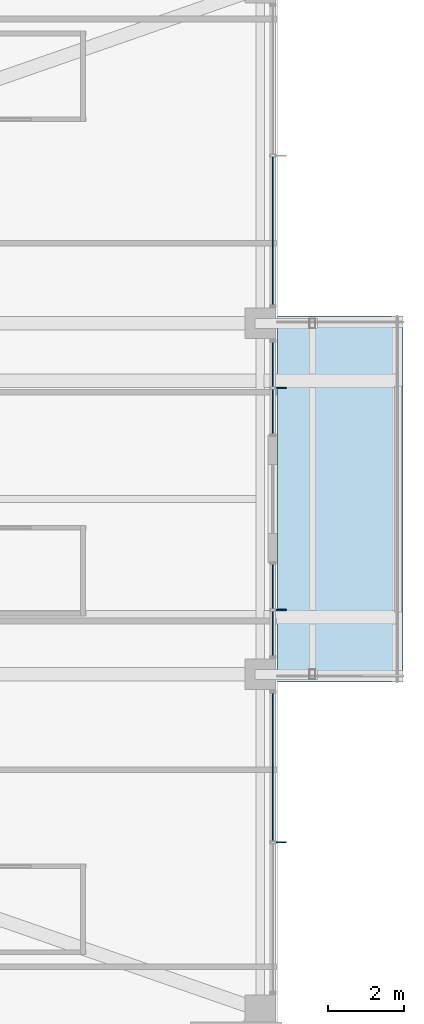
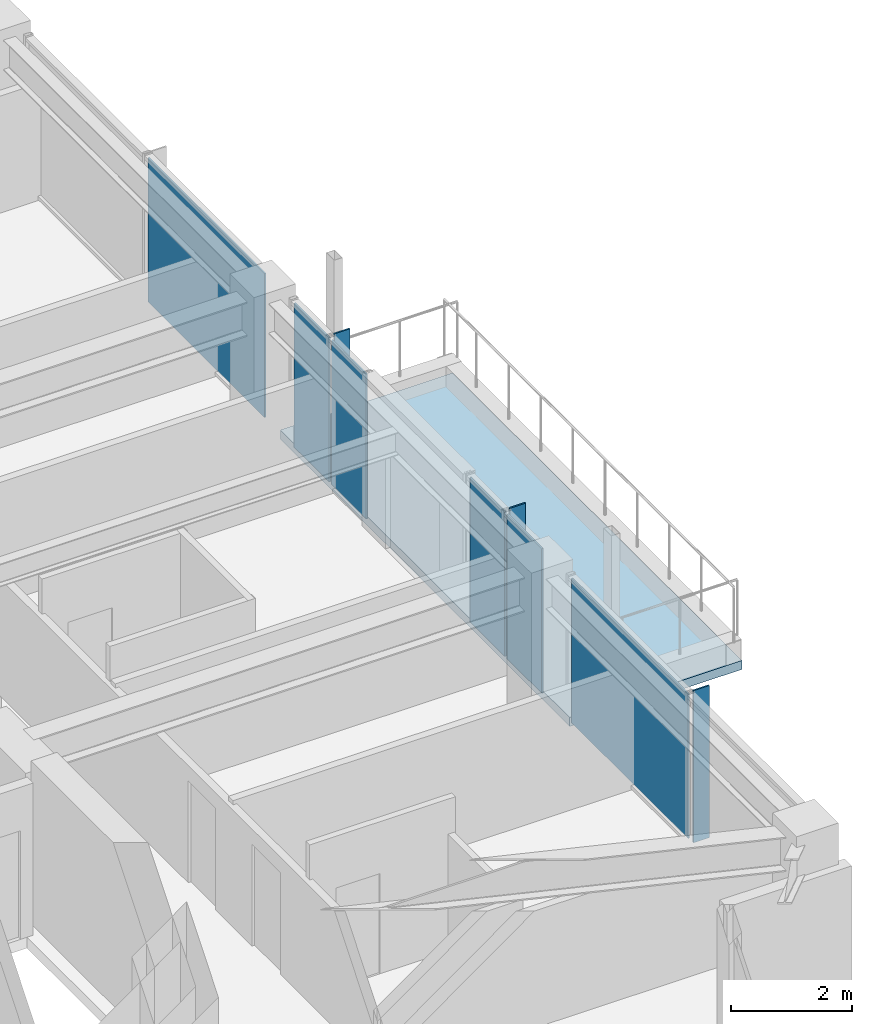
# One storey, part 29 of 38: 9 plates, 1 slab, 4 elements without a shape of their own.
"""IFC4 building model written with IfcOpenShell, lengths in metres."""

from ifc_helpers import new_model, si_unit, direction, frame, origin, origin_2d, place, context, subcontext, project, spatial, polyline, rectangle, outline, extrude, material, layer, layer_set, type_object, element, aggregate, save


model = new_model("IFC4")

# Units and contexts
model_context = context("Model", 3, precision=1e-05, world=origin(), true_north=direction((0.0, 1.0)))
body_context = subcontext(model_context, "Body", "Model", "MODEL_VIEW")
ifc_project = project(units=[si_unit("LENGTHUNIT", "METRE"), si_unit("AREAUNIT", "SQUARE_METRE"), si_unit("VOLUMEUNIT", "CUBIC_METRE"), si_unit("PLANEANGLEUNIT", "RADIAN"), si_unit("MASSUNIT", "GRAM", prefix="KILO")], contexts=[model_context])

# Site, building, storey
site_placement = place(None, origin())
site = spatial("IfcSite", under=ifc_project, at=site_placement, CompositionType="ELEMENT")
building_placement = place(site_placement, origin())
building = spatial("IfcBuilding", under=site, at=building_placement, Name="Kolvaren Belvedere", CompositionType="ELEMENT")
storey_placement = place(building_placement, frame((0.0, 0.0, 206.39990234375)))
storey = spatial("IfcBuildingStorey", under=building, at=storey_placement, Name="L60", CompositionType="ELEMENT", Elevation=206.39990234375)

# Curtain wall, plate
ifc_material_1 = material(Name="Anodised pale-metal aluminium AA 6063-T6", Category="aluminium")
curtain_wall_type = type_object("IfcCurtainWallType", Name="CW-Z5-HIGH", PredefinedType="NOTDEFINED", material=ifc_material_1)
curtain_wall_1_placement = place(storey_placement, origin())
curtain_wall_1 = element("IfcCurtainWall", 1, at=curtain_wall_1_placement, inside=storey, type_object=curtain_wall_type, Name="L60 Unitised Curtain Wall FCW-L60-E1-B1", PredefinedType="NOTDEFINED")
ifc_material_2 = material(Name="Low-iron triple insulated glass", Category="glass")
ifc_layer_1 = layer(ifc_material_2, 0.028076171875)
ifc_layer_set_1 = layer_set([ifc_layer_1], Name="Low-iron triple insulated glass")
plate_type_1 = type_object("IfcPlateType", Name="CW-PNL-VIS28", PredefinedType="CURTAIN_PANEL", material=ifc_layer_set_1)
plate_1_placement = place(storey_placement, frame((20.280029296875, 7.027587890625, 0.080078125), z_axis=(0.0, 0.0, 1.0), x_axis=(0.0, -1.0, 0.0)))
plate_1 = element("IfcPlate", 2, at=plate_1_placement, type_object=plate_type_1, Name="FCW-L60-E1-B1 Vision Glazing Panel 2", PredefinedType="CURTAIN_PANEL", context=body_context, shape_type="SweptSolid", body=[
    extrude(rectangle(XDim=3.864990234375, YDim=0.028076171875, at=origin_2d()), origin(), (0.0, 0.0, 1.0), 2.919921875),
])
aggregate(curtain_wall_1, [plate_1])

# Curtain wall, plates
curtain_wall_2_placement = place(storey_placement, origin())
curtain_wall_2 = element("IfcCurtainWall", 3, at=curtain_wall_2_placement, inside=storey, type_object=curtain_wall_type, Name="L60 Unitised Curtain Wall FCW-L60-E1-B2", PredefinedType="NOTDEFINED")
plate_2_placement = place(storey_placement, frame((20.280029296875, 3.52880859375, 0.080078125), z_axis=(0.0, 0.0, 1.0), x_axis=(0.0, -1.0, 0.0)))
plate_2 = element("IfcPlate", 4, at=plate_2_placement, type_object=plate_type_1, Name="FCW-L60-E1-B2 Vision Glazing Panel 1", PredefinedType="CURTAIN_PANEL", context=body_context, shape_type="SweptSolid", body=[
    extrude(rectangle(XDim=1.152587890625, YDim=0.028076171875, at=origin_2d()), origin(), (0.0, 0.0, 1.0), 2.919921875),
])
plate_3_placement = place(storey_placement, frame((20.280029296875, 2.296142578125, 0.080078125), z_axis=(0.0, 0.0, 1.0), x_axis=(0.0, -1.0, 0.0)))
plate_3 = element("IfcPlate", 5, at=plate_3_placement, type_object=plate_type_1, Name="FCW-L60-E1-B2 Vision Glazing Panel 2", PredefinedType="CURTAIN_PANEL", context=body_context, shape_type="SweptSolid", body=[
    extrude(rectangle(XDim=1.152587890625, YDim=0.028076171875, at=origin_2d()), origin(), (0.0, 0.0, 1.0), 2.919921875),
])
aggregate(curtain_wall_2, [plate_2, plate_3])

curtain_wall_3_placement = place(storey_placement, origin())
curtain_wall_3 = element("IfcCurtainWall", 6, at=curtain_wall_3_placement, inside=storey, type_object=curtain_wall_type, Name="L60 Unitised Curtain Wall FCW-L60-E2-B1", PredefinedType="NOTDEFINED")
plate_4_placement = place(storey_placement, frame((20.280029296875, -2.296142578125, 0.080078125), z_axis=(0.0, 0.0, 1.0), x_axis=(0.0, -1.0, 0.0)))
plate_4 = element("IfcPlate", 7, at=plate_4_placement, type_object=plate_type_1, Name="FCW-L60-E2-B1 Vision Glazing Panel 1", PredefinedType="CURTAIN_PANEL", context=body_context, shape_type="SweptSolid", body=[
    extrude(rectangle(XDim=1.152587890625, YDim=0.028076171875, at=origin_2d()), origin(), (0.0, 0.0, 1.0), 2.919921875),
])
plate_5_placement = place(storey_placement, frame((20.280029296875, -3.52880859375, 0.080078125), z_axis=(0.0, 0.0, 1.0), x_axis=(0.0, -1.0, 0.0)))
plate_5 = element("IfcPlate", 8, at=plate_5_placement, type_object=plate_type_1, Name="FCW-L60-E2-B1 Vision Glazing Panel 2", PredefinedType="CURTAIN_PANEL", context=body_context, shape_type="SweptSolid", body=[
    extrude(rectangle(XDim=1.152587890625, YDim=0.028076171875, at=origin_2d()), origin(), (0.0, 0.0, 1.0), 2.919921875),
])
aggregate(curtain_wall_3, [plate_4, plate_5])

# Curtain wall, plate
curtain_wall_4_placement = place(storey_placement, origin())
curtain_wall_4 = element("IfcCurtainWall", 9, at=curtain_wall_4_placement, inside=storey, type_object=curtain_wall_type, Name="L60 Unitised Curtain Wall FCW-L60-E2-B2", PredefinedType="NOTDEFINED")
plate_6_placement = place(storey_placement, frame((20.280029296875, -7.027587890625, 0.080078125), z_axis=(0.0, 0.0, 1.0), x_axis=(0.0, -1.0, 0.0)))
plate_6 = element("IfcPlate", 10, at=plate_6_placement, type_object=plate_type_1, Name="FCW-L60-E2-B2 Vision Glazing Panel 1", PredefinedType="CURTAIN_PANEL", context=body_context, shape_type="SweptSolid", body=[
    extrude(rectangle(XDim=3.864990234375, YDim=0.028076171875, at=origin_2d()), origin(), (0.0, 0.0, 1.0), 2.919921875),
])
aggregate(curtain_wall_4, [plate_6])

# Plates
ifc_material_3 = material(Name="Anodised pale-metal aluminium AA 6063-T6", Category="aluminium")
ifc_layer_2 = layer(ifc_material_3, 0.030029296875)
ifc_layer_set_2 = layer_set([ifc_layer_2], Name="Anodised pale-metal aluminium AA 6063-T6")
plate_type_2 = type_object("IfcPlateType", Name="FIN-VERT-300", PredefinedType="USERDEFINED", material=ifc_layer_set_2)
for number, where, z_axis, x_axis, name in (
    (11, (20.489990234375, 2.91259765625, 0.0), (0.0, 0.0, 1.0), (1.0, 0.0, 0.0), "L60 Pale-Metal Vertical Shading Fin FCW-L60-E1-B2-1"),
    (12, (20.489990234375, -2.91259765625, 0.0), (0.0, 0.0, 1.0), (1.0, 0.0, 0.0), "L60 Pale-Metal Vertical Shading Fin FCW-L60-E2-B1-1"),
    (13, (20.489990234375, -9.0, 0.0), (0.0, 0.0, 1.0), (1.0, 0.0, 0.0), "L60 Pale-Metal Vertical Shading Fin FCW-L60-E2-B2-1"),
):
    element("IfcPlate", number, at=place(storey_placement, frame(where, z_axis=z_axis, x_axis=x_axis)), inside=storey, type_object=plate_type_2, Name=name, ObjectType="VERTICAL FIN", PredefinedType="USERDEFINED", context=body_context, shape_type="SweptSolid", body=[
        extrude(rectangle(XDim=0.300048828125, YDim=0.030029296875, at=origin_2d()), origin(), (0.0, 0.0, 1.0), 3.080078125),
    ])

# Slab
ifc_material_4 = material(Name="Concrete C50/60", Category="concrete")
ifc_layer_3 = layer(ifc_material_4, 0.179931640625)
ifc_layer_set_3 = layer_set([ifc_layer_3], Name="Concrete C50/60")
slab_type = type_object("IfcSlabType", Name="SL-BAL-180", PredefinedType="FLOOR", material=ifc_layer_set_3)
slab_placement = place(storey_placement, frame((0.0, 0.0, -0.219970703125)))
element("IfcSlab", 14, at=slab_placement, inside=storey, type_object=slab_type, Name="L60 Planted Sky Terrace SPIRAL-09-E", PredefinedType="FLOOR", context=body_context, shape_type="SweptSolid", body=[
    extrude(outline(polyline([(20.39990234375, -4.800048828125), (23.699951171875, -4.800048828125), (23.699951171875, 4.800048828125), (20.39990234375, 4.800048828125), (20.39990234375, -4.800048828125)])), origin(), (0.0, 0.0, 1.0), 0.18017578125),
])

save(model, "model.ifc")
